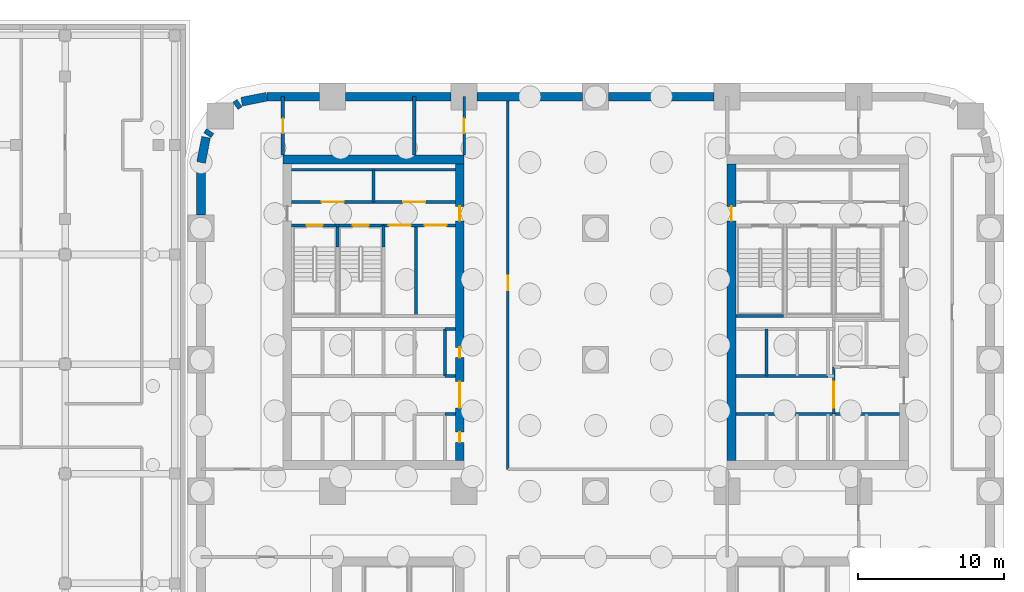
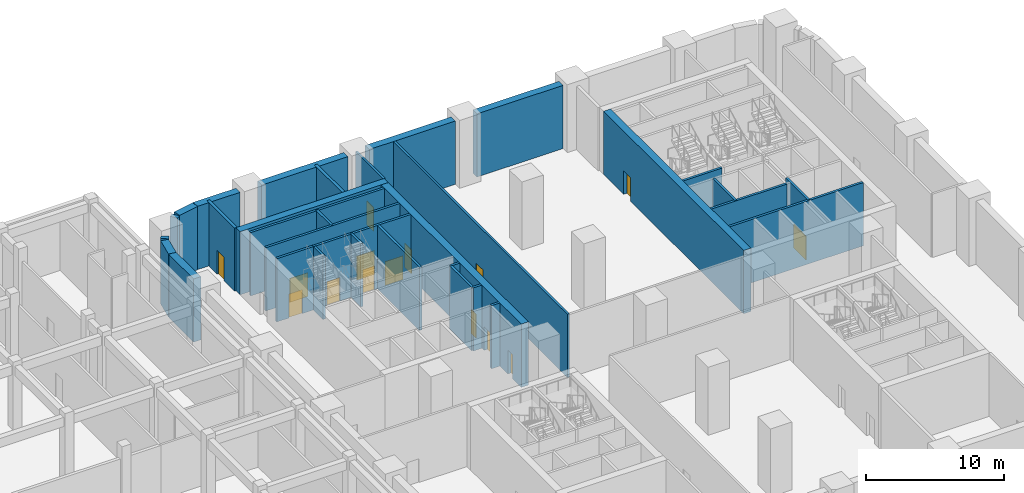
# One storey, part 12 of 26: 35 walls, 15 doors, 15 openings.
"""IFC4 building model written with IfcOpenShell, lengths in metres."""

from ifc_helpers import new_model, si_unit, direction, frame, frame_2d, origin, place, context, subcontext, project, spatial, rectangle, extrude, material, layer, layer_set, type_object, element, fill, save


model = new_model("IFC4")

# Units and contexts
model_context = context("Model", 3, precision=1e-05, world=origin(), true_north=direction((0.0, 1.0)))
body_context = subcontext(model_context, "Body", "Model", "MODEL_VIEW")
ifc_project = project(units=[si_unit("LENGTHUNIT", "METRE"), si_unit("AREAUNIT", "SQUARE_METRE"), si_unit("VOLUMEUNIT", "CUBIC_METRE"), si_unit("PLANEANGLEUNIT", "RADIAN"), si_unit("MASSUNIT", "GRAM", prefix="KILO")], contexts=[model_context])

# Site, building, storey
site_placement = place(None, origin())
site = spatial("IfcSite", under=ifc_project, at=site_placement, CompositionType="ELEMENT")
building_placement = place(site_placement, origin())
building = spatial("IfcBuilding", under=site, at=building_placement, Name="Tessera Arch", CompositionType="ELEMENT")
storey_placement = place(building_placement, frame((0.0, 0.0, -6.0)))
storey = spatial("IfcBuildingStorey", under=building, at=storey_placement, Name="B1", CompositionType="ELEMENT", Elevation=-6.0)

# Walls
ifc_material_1 = material(Name="Concrete C50/60", Category="concrete")
ifc_layer_1 = layer(ifc_material_1, 0.60009765625)
ifc_layer_set_1 = layer_set([ifc_layer_1], Name="Basement wall 600 Concrete C50/60")
wall_type_1 = type_object("IfcWallType", Name="Basement wall 600 Concrete C50/60", PredefinedType="SOLIDWALL", material=ifc_layer_set_1)
for number, where, z_axis, x_axis, name in (
    (1, (35.10009765625, 54.0, 0.0), (0.0, 0.0, 1.0), (-1.0, 0.0, 0.0), "Basement wall B1 13"),
    (2, (26.10009765625, 54.0, 0.0), (0.0, 0.0, 1.0), (-1.0, 0.0, 0.0), "Basement wall B1 14"),
    (3, (17.10009765625, 54.0, 0.0), (0.0, 0.0, 1.0), (-1.0, 0.0, 0.0), "Basement wall B1 15"),
):
    element("IfcWall", number, at=place(storey_placement, frame(where, z_axis=z_axis, x_axis=x_axis)), inside=storey, type_object=wall_type_1, Name=name, PredefinedType="SOLIDWALL", context=body_context, shape_type="SweptSolid", body=[
        extrude(rectangle(XDim=7.2001953125, YDim=0.60009765625, at=frame_2d((3.60009765625, 0.0))), origin(), (0.0, 0.0, 1.0), 5.590087890625),
    ])
wall_1_placement = place(storey_placement, frame((8.10009765625, 54.0, 0.0), z_axis=(0.0, 0.0, 1.0), x_axis=(-1.0, 0.0, 0.0)))
element("IfcWall", 4, at=wall_1_placement, inside=storey, type_object=wall_type_1, Name="Basement wall B1 16", PredefinedType="SOLIDWALL", context=body_context, shape_type="SweptSolid", body=[
    extrude(rectangle(XDim=3.60009765625, YDim=0.60009765625, at=frame_2d((1.800048828125, 0.0))), origin(), (0.0, 0.0, 1.0), 5.590087890625),
])
wall_2_placement = place(storey_placement, frame((4.5, 54.0, 0.0), z_axis=(0.0, 0.0, 1.0), x_axis=(-0.980788681317, -0.195073223687, 0.0)))
element("IfcWall", 5, at=wall_2_placement, inside=storey, type_object=wall_type_1, Name="Basement wall B1 17", PredefinedType="SOLIDWALL", context=body_context, shape_type="SweptSolid", body=[
    extrude(rectangle(XDim=1.755859375, YDim=0.60009765625, at=frame_2d((0.8779296875, 0.0))), origin(), (0.0, 0.0, 1.0), 5.590087890625),
])
for number, where, z_axis, x_axis, name in (
    (6, (2.639892578125, 53.565185546875, 0.0), (0.0, 0.0, 1.0), (-0.831499915197, -0.555524878855, 0.0), "Basement wall B1 18"),
    (7, (0.62451171875, 51.64404296875, 0.0), (0.0, 0.0, 1.0), (-0.555524878855, -0.831499915197, 0.0), "Basement wall B1 19"),
):
    element("IfcWall", number, at=place(storey_placement, frame(where, z_axis=z_axis, x_axis=x_axis)), inside=storey, type_object=wall_type_1, Name=name, PredefinedType="SOLIDWALL", context=body_context, shape_type="SweptSolid", body=[
        extrude(rectangle(XDim=0.341552734375, YDim=0.60009765625, at=frame_2d((0.1708984375, 0.0))), origin(), (0.0, 0.0, 1.0), 5.590087890625),
    ])
wall_3_placement = place(storey_placement, frame((0.342529296875, 51.22216796875, 0.0), z_axis=(0.0, 0.0, 1.0), x_axis=(-0.195073223687, -0.980788681317, 0.0)))
element("IfcWall", 8, at=wall_3_placement, inside=storey, type_object=wall_type_1, Name="Basement wall B1 20", PredefinedType="SOLIDWALL", context=body_context, shape_type="SweptSolid", body=[
    extrude(rectangle(XDim=1.755859375, YDim=0.60009765625, at=frame_2d((0.8779296875, 0.0))), origin(), (0.0, 0.0, 1.0), 5.590087890625),
])
wall_4_placement = place(storey_placement, frame((0.0, 49.5, 0.0), z_axis=(0.0, 0.0, 1.0), x_axis=(0.0, -1.0, 0.0)))
element("IfcWall", 9, at=wall_4_placement, inside=storey, type_object=wall_type_1, Name="Basement wall B1 21", PredefinedType="SOLIDWALL", context=body_context, shape_type="SweptSolid", body=[
    extrude(rectangle(XDim=3.60009765625, YDim=0.60009765625, at=frame_2d((1.800048828125, 0.0))), origin(), (0.0, 0.0, 1.0), 5.590087890625),
])
ifc_material_2 = material(Name="Gypsum board on steel stud", Category="steel")
ifc_layer_2 = layer(ifc_material_2, 0.125)
ifc_layer_set_2 = layer_set([ifc_layer_2], Name="Core partition 125 EI 60")
wall_type_2 = type_object("IfcWallType", Name="Core partition 125 EI 60", PredefinedType="PARTITIONING", material=ifc_layer_set_2)
wall_5_placement = place(storey_placement, frame((11.800048828125, 46.800048828125, 0.0), z_axis=(0.0, 0.0, 1.0), x_axis=(0.0, 1.0, 0.0)))
element("IfcWall", 10, at=wall_5_placement, inside=storey, type_object=wall_type_2, Name="B1 C2 partition wall 8", PredefinedType="PARTITIONING", context=body_context, shape_type="SweptSolid", body=[
    extrude(rectangle(XDim=2.199951171875, YDim=0.199951171875, at=frame_2d((1.10009765625, 0.0))), origin(), (0.0, 0.0, 1.0), 5.590087890625),
])
wall_6_placement = place(storey_placement, frame((14.705078125, 39.0, 0.0), z_axis=(0.0, 0.0, 1.0), x_axis=(0.0, 1.0, 0.0)))
element("IfcWall", 11, at=wall_6_placement, inside=storey, type_object=wall_type_2, Name="B1 C2 partition wall 16", PredefinedType="PARTITIONING", context=body_context, shape_type="SweptSolid", body=[
    extrude(rectangle(XDim=6.199951171875, YDim=0.199951171875, at=frame_2d((3.10009765625, 0.0))), origin(), (0.0, 0.0, 1.0), 5.590087890625),
])

# Wall, openings, doors
wall_7_placement = place(storey_placement, frame((12.5, 45.199951171875, 0.0), z_axis=(0.0, 0.0, 1.0), x_axis=(1.0, 0.0, 0.0)))
wall_7 = element("IfcWall", 12, at=wall_7_placement, inside=storey, type_object=wall_type_2, Name="B1 C2 partition wall 29", PredefinedType="PARTITIONING", context=body_context, shape_type="SweptSolid", body=[
    extrude(rectangle(XDim=4.89990234375, YDim=0.199951171875, at=frame_2d((2.449951171875, 0.0))), origin(), (0.0, 0.0, 1.0), 5.590087890625),
])
opening_1_placement = place(wall_7_placement, frame((0.3525390625, 0.0, 0.0)))
opening_1 = element("IfcOpeningElement", 13, at=opening_1_placement, cuts=wall_7, Name="Opening B1-C23", PredefinedType="OPENING", context=body_context, shape_type="SweptSolid", body=[
    extrude(rectangle(XDim=1.5, YDim=2.10009765625, at=frame_2d((0.75, 1.050048828125))), frame((0.0, 0.10986328125, 0.0), z_axis=(0.0, -1.0, 0.0), x_axis=(1.0, 0.0, 0.0)), (0.0, 0.0, 1.0), 0.219970703125),
])
opening_2_placement = place(wall_7_placement, frame((2.802490234375, 0.0, 0.0)))
opening_2 = element("IfcOpeningElement", 14, at=opening_2_placement, cuts=wall_7, Name="Opening B1-C24", PredefinedType="OPENING", context=body_context, shape_type="SweptSolid", body=[
    extrude(rectangle(XDim=1.5, YDim=2.10009765625, at=frame_2d((0.75, 1.050048828125))), frame((0.0, 0.10986328125, 0.0), z_axis=(0.0, -1.0, 0.0), x_axis=(1.0, 0.0, 0.0)), (0.0, 0.0, 1.0), 0.219970703125),
])
ifc_material_3 = material(Name="Steel door leaf", Category="steel")
door_type_1 = type_object("IfcDoorType", Name="Plant door FD60 1500 x 2100", OperationType="DOUBLE_DOOR_SINGLE_SWING", PredefinedType="DOOR", material=ifc_material_3)
door_1_placement = place(opening_1_placement, origin())
door_1 = element("IfcDoor", 15, at=door_1_placement, inside=storey, type_object=door_type_1, Name="B1 C2 door 10 C23 type D08", OperationType="DOUBLE_DOOR_SINGLE_SWING", OverallHeight=2.10009765625, OverallWidth=1.5, PredefinedType="DOOR", context=body_context, shape_type="SweptSolid", body=[
    extrude(rectangle(XDim=1.5, YDim=2.10009765625, at=frame_2d((0.75, 1.050048828125))), frame((0.0, 0.02490234375, 0.0), z_axis=(0.0, -1.0, 0.0), x_axis=(1.0, 0.0, 0.0)), (0.0, 0.0, 1.0), 0.050048828125),
])
fill(opening_1, door_1)
door_2_placement = place(opening_2_placement, origin())
door_2 = element("IfcDoor", 16, at=door_2_placement, inside=storey, type_object=door_type_1, Name="B1 C2 door 11 C24 type D08", OperationType="DOUBLE_DOOR_SINGLE_SWING", OverallHeight=2.10009765625, OverallWidth=1.5, PredefinedType="DOOR", context=body_context, shape_type="SweptSolid", body=[
    extrude(rectangle(XDim=1.5, YDim=2.10009765625, at=frame_2d((0.75, 1.050048828125))), frame((0.0, 0.02490234375, 0.0), z_axis=(0.0, -1.0, 0.0), x_axis=(1.0, 0.0, 0.0)), (0.0, 0.0, 1.0), 0.050048828125),
])
fill(opening_2, door_2)

wall_8_placement = place(storey_placement, frame((6.199951171875, 46.800048828125, 0.0), z_axis=(0.0, 0.0, 1.0), x_axis=(1.0, 0.0, 0.0)))
wall_8 = element("IfcWall", 17, at=wall_8_placement, inside=storey, type_object=wall_type_2, Name="B1 C2 partition wall 33", PredefinedType="PARTITIONING", context=body_context, shape_type="SweptSolid", body=[
    extrude(rectangle(XDim=11.199951171875, YDim=0.199951171875, at=frame_2d((5.60009765625, 0.0))), origin(), (0.0, 0.0, 1.0), 5.590087890625),
])
opening_3_placement = place(wall_8_placement, frame((2.050048828125, 0.0, 0.0)))
opening_3 = element("IfcOpeningElement", 18, at=opening_3_placement, cuts=wall_8, Name="Opening B1-C21", PredefinedType="OPENING", context=body_context, shape_type="SweptSolid", body=[
    extrude(rectangle(XDim=1.5, YDim=2.10009765625, at=frame_2d((0.75, 1.050048828125))), frame((0.0, 0.10986328125, 0.0), z_axis=(0.0, -1.0, 0.0), x_axis=(1.0, 0.0, 0.0)), (0.0, 0.0, 1.0), 0.219970703125),
])
opening_4_placement = place(wall_8_placement, frame((7.64990234375, 0.0, 0.0)))
opening_4 = element("IfcOpeningElement", 19, at=opening_4_placement, cuts=wall_8, Name="Opening B1-C22", PredefinedType="OPENING", context=body_context, shape_type="SweptSolid", body=[
    extrude(rectangle(XDim=1.5, YDim=2.10009765625, at=frame_2d((0.75, 1.050048828125))), frame((0.0, 0.10986328125, 0.0), z_axis=(0.0, -1.0, 0.0), x_axis=(1.0, 0.0, 0.0)), (0.0, 0.0, 1.0), 0.219970703125),
])
door_3_placement = place(opening_3_placement, origin())
door_3 = element("IfcDoor", 20, at=door_3_placement, inside=storey, type_object=door_type_1, Name="B1 C2 door 8 C21 type D08", OperationType="DOUBLE_DOOR_SINGLE_SWING", OverallHeight=2.10009765625, OverallWidth=1.5, PredefinedType="DOOR", context=body_context, shape_type="SweptSolid", body=[
    extrude(rectangle(XDim=1.5, YDim=2.10009765625, at=frame_2d((0.75, 1.050048828125))), frame((0.0, 0.02490234375, 0.0), z_axis=(0.0, -1.0, 0.0), x_axis=(1.0, 0.0, 0.0)), (0.0, 0.0, 1.0), 0.050048828125),
])
fill(opening_3, door_3)
door_4_placement = place(opening_4_placement, origin())
door_4 = element("IfcDoor", 21, at=door_4_placement, inside=storey, type_object=door_type_1, Name="B1 C2 door 9 C22 type D08", OperationType="DOUBLE_DOOR_SINGLE_SWING", OverallHeight=2.10009765625, OverallWidth=1.5, PredefinedType="DOOR", context=body_context, shape_type="SweptSolid", body=[
    extrude(rectangle(XDim=1.5, YDim=2.10009765625, at=frame_2d((0.75, 1.050048828125))), frame((0.0, 0.02490234375, 0.0), z_axis=(0.0, -1.0, 0.0), x_axis=(1.0, 0.0, 0.0)), (0.0, 0.0, 1.0), 0.050048828125),
])
fill(opening_4, door_4)

# Wall
wall_9_placement = place(storey_placement, frame((6.199951171875, 49.0, 0.0), z_axis=(0.0, 0.0, 1.0), x_axis=(1.0, 0.0, 0.0)))
element("IfcWall", 22, at=wall_9_placement, inside=storey, type_object=wall_type_2, Name="B1 C2 partition wall 34", PredefinedType="PARTITIONING", context=body_context, shape_type="SweptSolid", body=[
    extrude(rectangle(XDim=11.199951171875, YDim=0.199951171875, at=frame_2d((5.60009765625, 0.0))), origin(), (0.0, 0.0, 1.0), 5.590087890625),
])

# Wall, opening, door
ifc_material_4 = material(Name="Concrete C70/85", Category="concrete")
ifc_layer_3 = layer(ifc_material_4, 0.60009765625)
ifc_layer_set_3 = layer_set([ifc_layer_3], Name="Core shell wall 600 C70-85")
wall_type_3 = type_object("IfcWallType", Name="Core shell wall 600 C70-85", PredefinedType="SHEAR", material=ifc_layer_set_3)
wall_10_placement = place(storey_placement, frame((36.300048828125, 29.10009765625, 0.0), z_axis=(0.0, 0.0, 1.0), x_axis=(0.0, 1.0, 0.0)))
wall_10 = element("IfcWall", 23, at=wall_10_placement, inside=storey, type_object=wall_type_3, Name="B1 C1 core wall W", PredefinedType="SHEAR", context=body_context, shape_type="SweptSolid", body=[
    extrude(rectangle(XDim=20.2998046875, YDim=0.60009765625, at=frame_2d((10.14990234375, 0.0))), origin(), (0.0, 0.0, 1.0), 5.590087890625),
])
opening_5_placement = place(wall_10_placement, frame((16.39990234375, 0.0, 0.0)))
opening_5 = element("IfcOpeningElement", 24, at=opening_5_placement, cuts=wall_10, Name="Opening B1-C10", PredefinedType="OPENING", context=body_context, shape_type="SweptSolid", body=[
    extrude(rectangle(XDim=1.0, YDim=2.10009765625, at=frame_2d((0.5, 1.050048828125))), frame((0.0, 0.31005859375, 0.0), z_axis=(0.0, -1.0, 0.0), x_axis=(1.0, 0.0, 0.0)), (0.0, 0.0, 1.0), 0.6201171875),
])
ifc_material_5 = material(Name="Steel door leaf", Category="steel")
door_type_2 = type_object("IfcDoorType", Name="Corridor door FD60 1000 x 2100", OperationType="SINGLE_SWING_LEFT", PredefinedType="DOOR", material=ifc_material_5)
door_5_placement = place(opening_5_placement, origin())
door_5 = element("IfcDoor", 25, at=door_5_placement, inside=storey, type_object=door_type_2, Name="B1 C1 door 10 C10 type D12", OperationType="SINGLE_SWING_RIGHT", OverallHeight=2.10009765625, OverallWidth=1.0, PredefinedType="DOOR", context=body_context, shape_type="SweptSolid", body=[
    extrude(rectangle(XDim=1.0, YDim=2.10009765625, at=frame_2d((0.5, 1.050048828125))), frame((0.0, 0.02490234375, 0.0), z_axis=(0.0, -1.0, 0.0), x_axis=(1.0, 0.0, 0.0)), (0.0, 0.0, 1.0), 0.050048828125),
])
fill(opening_5, door_5)

# Wall
wall_11_placement = place(storey_placement, frame((5.60009765625, 49.699951171875, 0.0), z_axis=(0.0, 0.0, 1.0), x_axis=(1.0, 0.0, 0.0)))
element("IfcWall", 26, at=wall_11_placement, inside=storey, type_object=wall_type_3, Name="B1 C2 core wall N", PredefinedType="SHEAR", context=body_context, shape_type="SweptSolid", body=[
    extrude(rectangle(XDim=12.39990234375, YDim=0.60009765625, at=frame_2d((6.199951171875, 0.0))), origin(), (0.0, 0.0, 1.0), 5.590087890625),
])

# Wall, openings, doors
wall_12_placement = place(storey_placement, frame((17.699951171875, 29.10009765625, 0.0), z_axis=(0.0, 0.0, 1.0), x_axis=(0.0, 1.0, 0.0)))
wall_12 = element("IfcWall", 27, at=wall_12_placement, inside=storey, type_object=wall_type_3, Name="B1 C2 core wall E", PredefinedType="SHEAR", context=body_context, shape_type="SweptSolid", body=[
    extrude(rectangle(XDim=20.2998046875, YDim=0.60009765625, at=frame_2d((10.14990234375, 0.0))), origin(), (0.0, 0.0, 1.0), 5.590087890625),
])
opening_6_placement = place(wall_12_placement, frame((1.25, 0.0, 0.0)))
opening_6 = element("IfcOpeningElement", 28, at=opening_6_placement, cuts=wall_12, Name="Opening B1-C14", PredefinedType="OPENING", context=body_context, shape_type="SweptSolid", body=[
    extrude(rectangle(XDim=0.699951171875, YDim=2.10009765625, at=frame_2d((0.35009765625, 1.050048828125))), frame((0.0, 0.31005859375, 0.0), z_axis=(0.0, -1.0, 0.0), x_axis=(1.0, 0.0, 0.0)), (0.0, 0.0, 1.0), 0.6201171875),
])
opening_7_placement = place(wall_12_placement, frame((7.050048828125, 0.0, 0.0)))
opening_7 = element("IfcOpeningElement", 29, at=opening_7_placement, cuts=wall_12, Name="Opening B1-C15", PredefinedType="OPENING", context=body_context, shape_type="SweptSolid", body=[
    extrude(rectangle(XDim=0.699951171875, YDim=2.10009765625, at=frame_2d((0.35009765625, 1.050048828125))), frame((0.0, 0.31005859375, 0.0), z_axis=(0.0, -1.0, 0.0), x_axis=(1.0, 0.0, 0.0)), (0.0, 0.0, 1.0), 0.6201171875),
])
opening_8_placement = place(wall_12_placement, frame((3.60009765625, 0.0, 0.0)))
opening_8 = element("IfcOpeningElement", 30, at=opening_8_placement, cuts=wall_12, Name="Opening B1-C16", PredefinedType="OPENING", context=body_context, shape_type="SweptSolid", body=[
    extrude(rectangle(XDim=1.800048828125, YDim=2.10009765625, at=frame_2d((0.89990234375, 1.050048828125))), frame((0.0, 0.31005859375, 0.0), z_axis=(0.0, -1.0, 0.0), x_axis=(1.0, 0.0, 0.0)), (0.0, 0.0, 1.0), 0.6201171875),
])
opening_9_placement = place(wall_12_placement, frame((16.39990234375, 0.0, 0.0)))
opening_9 = element("IfcOpeningElement", 31, at=opening_9_placement, cuts=wall_12, Name="Opening B1-C19", PredefinedType="OPENING", context=body_context, shape_type="SweptSolid", body=[
    extrude(rectangle(XDim=1.0, YDim=2.10009765625, at=frame_2d((0.5, 1.050048828125))), frame((0.0, 0.31005859375, 0.0), z_axis=(0.0, -1.0, 0.0), x_axis=(1.0, 0.0, 0.0)), (0.0, 0.0, 1.0), 0.6201171875),
])
door_6_placement = place(opening_9_placement, origin())
door_6 = element("IfcDoor", 32, at=door_6_placement, inside=storey, type_object=door_type_2, Name="B1 C2 door 6 C19 type D12", OperationType="SINGLE_SWING_RIGHT", OverallHeight=2.10009765625, OverallWidth=1.0, PredefinedType="DOOR", context=body_context, shape_type="SweptSolid", body=[
    extrude(rectangle(XDim=1.0, YDim=2.10009765625, at=frame_2d((0.5, 1.050048828125))), frame((0.0, 0.02490234375, 0.0), z_axis=(0.0, -1.0, 0.0), x_axis=(1.0, 0.0, 0.0)), (0.0, 0.0, 1.0), 0.050048828125),
])
fill(opening_9, door_6)
ifc_material_6 = material(Name="Glazed steel door leaf", Category="steel")
door_type_3 = type_object("IfcDoorType", Name="Lobby double door FD60 1800 x 2100", OperationType="DOUBLE_DOOR_SINGLE_SWING", PredefinedType="DOOR", material=ifc_material_6)
door_7_placement = place(opening_8_placement, origin())
door_7 = element("IfcDoor", 33, at=door_7_placement, inside=storey, type_object=door_type_3, Name="B1 C2 door 3 C16 type D19", OperationType="DOUBLE_DOOR_SINGLE_SWING", OverallHeight=2.10009765625, OverallWidth=1.800048828125, PredefinedType="DOOR", context=body_context, shape_type="SweptSolid", body=[
    extrude(rectangle(XDim=1.800048828125, YDim=2.10009765625, at=frame_2d((0.89990234375, 1.050048828125))), frame((0.0, 0.02490234375, 0.0), z_axis=(0.0, -1.0, 0.0), x_axis=(1.0, 0.0, 0.0)), (0.0, 0.0, 1.0), 0.050048828125),
])
fill(opening_8, door_7)
ifc_material_7 = material(Name="Steel door leaf", Category="steel")
door_type_4 = type_object("IfcDoorType", Name="Service shaft door FD60 700 x 2100", OperationType="SINGLE_SWING_LEFT", PredefinedType="DOOR", material=ifc_material_7)
door_8_placement = place(opening_6_placement, origin())
door_8 = element("IfcDoor", 34, at=door_8_placement, inside=storey, type_object=door_type_4, Name="B1 C2 door 1 C14 type D07", OperationType="SINGLE_SWING_LEFT", OverallHeight=2.10009765625, OverallWidth=0.699951171875, PredefinedType="DOOR", context=body_context, shape_type="SweptSolid", body=[
    extrude(rectangle(XDim=0.699951171875, YDim=2.10009765625, at=frame_2d((0.35009765625, 1.050048828125))), frame((0.0, 0.02490234375, 0.0), z_axis=(0.0, -1.0, 0.0), x_axis=(1.0, 0.0, 0.0)), (0.0, 0.0, 1.0), 0.050048828125),
])
fill(opening_6, door_8)
door_9_placement = place(opening_7_placement, origin())
door_9 = element("IfcDoor", 35, at=door_9_placement, inside=storey, type_object=door_type_4, Name="B1 C2 door 2 C15 type D07", OperationType="SINGLE_SWING_LEFT", OverallHeight=2.10009765625, OverallWidth=0.699951171875, PredefinedType="DOOR", context=body_context, shape_type="SweptSolid", body=[
    extrude(rectangle(XDim=0.699951171875, YDim=2.10009765625, at=frame_2d((0.35009765625, 1.050048828125))), frame((0.0, 0.02490234375, 0.0), z_axis=(0.0, -1.0, 0.0), x_axis=(1.0, 0.0, 0.0)), (0.0, 0.0, 1.0), 0.050048828125),
])
fill(opening_7, door_9)

# Wall, opening, door
ifc_material_8 = material(Name="Gypsum board on deep steel stud with mineral wool", Category="steel")
ifc_layer_4 = layer(ifc_material_8, 0.175048828125)
ifc_layer_set_4 = layer_set([ifc_layer_4], Name="Corridor wall 175 EI 60")
wall_type_4 = type_object("IfcWallType", Name="Corridor wall 175 EI 60", PredefinedType="PARTITIONING", material=ifc_layer_set_4)
wall_13_placement = place(storey_placement, frame((18.0, 50.0, 0.0), z_axis=(0.0, 0.0, 1.0), x_axis=(0.0, 1.0, 0.0)))
wall_13 = element("IfcWall", 36, at=wall_13_placement, inside=storey, type_object=wall_type_4, Name="B1 partition 19", PredefinedType="PARTITIONING", context=body_context, shape_type="SweptSolid", body=[
    extrude(rectangle(XDim=4.0, YDim=0.175048828125, at=frame_2d((2.0, 0.0))), origin(), (0.0, 0.0, 1.0), 5.590087890625),
])
opening_10_placement = place(wall_13_placement, frame((1.5, 0.0, 0.0)))
opening_10 = element("IfcOpeningElement", 37, at=opening_10_placement, cuts=wall_13, Name="Opening B1-D012", PredefinedType="OPENING", context=body_context, shape_type="SweptSolid", body=[
    extrude(rectangle(XDim=1.0, YDim=2.10009765625, at=frame_2d((0.5, 1.050048828125))), frame((0.0, 0.097412109375, 0.0), z_axis=(0.0, -1.0, 0.0), x_axis=(1.0, 0.0, 0.0)), (0.0, 0.0, 1.0), 0.195068359375),
])
ifc_material_9 = material(Name="Fire-rated door leaf")
door_type_5 = type_object("IfcDoorType", Name="Entrance door FD30S 1000 x 2100", OperationType="SINGLE_SWING_LEFT", PredefinedType="DOOR", material=ifc_material_9)
door_10_placement = place(opening_10_placement, origin())
door_10 = element("IfcDoor", 38, at=door_10_placement, inside=storey, type_object=door_type_5, Name="B1 door D012 type D03", OperationType="SINGLE_SWING_RIGHT", OverallHeight=2.10009765625, OverallWidth=1.0, PredefinedType="DOOR", context=body_context, shape_type="SweptSolid", body=[
    extrude(rectangle(XDim=1.0, YDim=2.10009765625, at=frame_2d((0.5, 1.050048828125))), frame((0.0, 0.02490234375, 0.0), z_axis=(0.0, -1.0, 0.0), x_axis=(1.0, 0.0, 0.0)), (0.0, 0.0, 1.0), 0.050048828125),
])
fill(opening_10, door_10)

wall_14_placement = place(storey_placement, frame((21.0, 28.5, 0.0), z_axis=(0.0, 0.0, 1.0), x_axis=(0.0, 1.0, 0.0)))
wall_14 = element("IfcWall", 39, at=wall_14_placement, inside=storey, type_object=wall_type_4, Name="B1 partition 21", PredefinedType="PARTITIONING", context=body_context, shape_type="SweptSolid", body=[
    extrude(rectangle(XDim=25.5, YDim=0.175048828125, at=frame_2d((12.75, 0.0))), origin(), (0.0, 0.0, 1.0), 5.590087890625),
])
opening_11_placement = place(wall_14_placement, frame((12.25, 0.0, 0.0)))
opening_11 = element("IfcOpeningElement", 40, at=opening_11_placement, cuts=wall_14, Name="Opening B1-D014", PredefinedType="OPENING", context=body_context, shape_type="SweptSolid", body=[
    extrude(rectangle(XDim=1.0, YDim=2.10009765625, at=frame_2d((0.5, 1.050048828125))), frame((0.0, 0.097412109375, 0.0), z_axis=(0.0, -1.0, 0.0), x_axis=(1.0, 0.0, 0.0)), (0.0, 0.0, 1.0), 0.195068359375),
])
ifc_material_10 = material(Name="Fire-rated door leaf")
door_type_6 = type_object("IfcDoorType", Name="Entrance door FD60 1000 x 2100", OperationType="SINGLE_SWING_LEFT", PredefinedType="DOOR", material=ifc_material_10)
door_11_placement = place(opening_11_placement, origin())
door_11 = element("IfcDoor", 41, at=door_11_placement, inside=storey, type_object=door_type_6, Name="B1 door D014 type D16", OperationType="SINGLE_SWING_LEFT", OverallHeight=2.10009765625, OverallWidth=1.0, PredefinedType="DOOR", context=body_context, shape_type="SweptSolid", body=[
    extrude(rectangle(XDim=1.0, YDim=2.10009765625, at=frame_2d((0.5, 1.050048828125))), frame((0.0, 0.02490234375, 0.0), z_axis=(0.0, -1.0, 0.0), x_axis=(1.0, 0.0, 0.0)), (0.0, 0.0, 1.0), 0.050048828125),
])
fill(opening_11, door_11)

# Walls
ifc_material_11 = material(Name="Concrete C40/50", Category="concrete")
ifc_layer_5 = layer(ifc_material_11, 0.199951171875)
ifc_layer_set_5 = layer_set([ifc_layer_5], Name="Lift shaft wall 200 REI 180")
wall_type_5 = type_object("IfcWallType", Name="Lift shaft wall 200 REI 180", PredefinedType="SOLIDWALL", material=ifc_layer_set_5)
wall_15_placement = place(storey_placement, frame((38.699951171875, 34.89990234375, 0.0), z_axis=(0.0, 0.0, 1.0), x_axis=(0.0, 1.0, 0.0)))
element("IfcWall", 42, at=wall_15_placement, inside=storey, type_object=wall_type_5, Name="B1 C1 shaft wall 2", PredefinedType="SOLIDWALL", context=body_context, shape_type="SweptSolid", body=[
    extrude(rectangle(XDim=3.2001953125, YDim=0.199951171875, at=frame_2d((1.60009765625, 0.0))), origin(), (0.0, 0.0, 1.0), 5.590087890625),
])
wall_16_placement = place(storey_placement, frame((36.60009765625, 32.300048828125, 0.0), z_axis=(0.0, 0.0, 1.0), x_axis=(1.0, 0.0, 0.0)))
element("IfcWall", 43, at=wall_16_placement, inside=storey, type_object=wall_type_5, Name="B1 C1 shaft wall 25", PredefinedType="SOLIDWALL", context=body_context, shape_type="SweptSolid", body=[
    extrude(rectangle(XDim=11.199951171875, YDim=0.199951171875, at=frame_2d((5.60009765625, 0.0))), origin(), (0.0, 0.0, 1.0), 5.590087890625),
])
wall_17_placement = place(storey_placement, frame((36.60009765625, 34.89990234375, 0.0), z_axis=(0.0, 0.0, 1.0), x_axis=(1.0, 0.0, 0.0)))
element("IfcWall", 44, at=wall_17_placement, inside=storey, type_object=wall_type_5, Name="B1 C1 shaft wall 27", PredefinedType="SOLIDWALL", context=body_context, shape_type="SweptSolid", body=[
    extrude(rectangle(XDim=6.2998046875, YDim=0.199951171875, at=frame_2d((3.14990234375, 0.0))), origin(), (0.0, 0.0, 1.0), 5.590087890625),
])
wall_18_placement = place(storey_placement, frame((16.699951171875, 34.89990234375, 0.0), z_axis=(0.0, 0.0, 1.0), x_axis=(0.0, 1.0, 0.0)))
element("IfcWall", 45, at=wall_18_placement, inside=storey, type_object=wall_type_5, Name="B1 C2 shaft wall 18", PredefinedType="SOLIDWALL", context=body_context, shape_type="SweptSolid", body=[
    extrude(rectangle(XDim=3.2001953125, YDim=0.199951171875, at=frame_2d((1.60009765625, 0.0))), origin(), (0.0, 0.0, 1.0), 5.590087890625),
])

# Wall, opening, door
ifc_material_12 = material(Name="Double gypsum board on twin steel stud with acoustic mineral wool", Category="steel")
ifc_layer_6 = layer(ifc_material_12, 0.25)
ifc_layer_set_6 = layer_set([ifc_layer_6], Name="Party wall 250 EI 60")
wall_type_6 = type_object("IfcWallType", Name="Party wall 250 EI 60", PredefinedType="PARTITIONING", material=ifc_layer_set_6)
wall_19_placement = place(storey_placement, frame((5.60009765625, 50.0, 0.0), z_axis=(0.0, 0.0, 1.0), x_axis=(0.0, 1.0, 0.0)))
wall_19 = element("IfcWall", 46, at=wall_19_placement, inside=storey, type_object=wall_type_6, Name="B1 partition 34", PredefinedType="PARTITIONING", context=body_context, shape_type="SweptSolid", body=[
    extrude(rectangle(XDim=4.0, YDim=0.25, at=frame_2d((2.0, 0.0))), origin(), (0.0, 0.0, 1.0), 5.590087890625),
])
opening_12_placement = place(wall_19_placement, frame((1.5, 0.0, 0.0)))
opening_12 = element("IfcOpeningElement", 47, at=opening_12_placement, cuts=wall_19, Name="Opening B1-D019", PredefinedType="OPENING", context=body_context, shape_type="SweptSolid", body=[
    extrude(rectangle(XDim=1.0, YDim=2.10009765625, at=frame_2d((0.5, 1.050048828125))), frame((0.0, 0.135009765625, 0.0), z_axis=(0.0, -1.0, 0.0), x_axis=(1.0, 0.0, 0.0)), (0.0, 0.0, 1.0), 0.27001953125),
])
door_12_placement = place(opening_12_placement, origin())
door_12 = element("IfcDoor", 48, at=door_12_placement, inside=storey, type_object=door_type_6, Name="B1 door D019 type D16", OperationType="SINGLE_SWING_LEFT", OverallHeight=2.10009765625, OverallWidth=1.0, PredefinedType="DOOR", context=body_context, shape_type="SweptSolid", body=[
    extrude(rectangle(XDim=1.0, YDim=2.10009765625, at=frame_2d((0.5, 1.050048828125))), frame((0.0, 0.02490234375, 0.0), z_axis=(0.0, -1.0, 0.0), x_axis=(1.0, 0.0, 0.0)), (0.0, 0.0, 1.0), 0.050048828125),
])
fill(opening_12, door_12)

# Wall
wall_20_placement = place(storey_placement, frame((14.60009765625, 50.0, 0.0), z_axis=(0.0, 0.0, 1.0), x_axis=(0.0, 1.0, 0.0)))
element("IfcWall", 49, at=wall_20_placement, inside=storey, type_object=wall_type_6, Name="B1 partition 35", PredefinedType="PARTITIONING", context=body_context, shape_type="SweptSolid", body=[
    extrude(rectangle(XDim=4.0, YDim=0.25, at=frame_2d((2.0, 0.0))), origin(), (0.0, 0.0, 1.0), 5.590087890625),
])

# Wall, opening, door
ifc_material_13 = material(Name="Concrete C40/50", Category="concrete")
ifc_layer_7 = layer(ifc_material_13, 0.199951171875)
ifc_layer_set_7 = layer_set([ifc_layer_7], Name="Shaft wall 200 EI 120")
wall_type_7 = type_object("IfcWallType", Name="Shaft wall 200 EI 120", PredefinedType="SOLIDWALL", material=ifc_layer_set_7)
wall_21_placement = place(storey_placement, frame((43.300048828125, 32.300048828125, 0.0), z_axis=(0.0, 0.0, 1.0), x_axis=(0.0, 1.0, 0.0)))
wall_21 = element("IfcWall", 50, at=wall_21_placement, inside=storey, type_object=wall_type_7, Name="B1 C1 shaft wall 13", PredefinedType="SOLIDWALL", context=body_context, shape_type="SweptSolid", body=[
    extrude(rectangle(XDim=3.199951171875, YDim=0.199951171875, at=frame_2d((1.60009765625, 0.0))), origin(), (0.0, 0.0, 1.0), 5.590087890625),
])
opening_13_placement = place(wall_21_placement, frame((0.39990234375, 0.0, 0.0)))
opening_13 = element("IfcOpeningElement", 51, at=opening_13_placement, cuts=wall_21, Name="Opening B1-C02", PredefinedType="OPENING", context=body_context, shape_type="SweptSolid", body=[
    extrude(rectangle(XDim=1.800048828125, YDim=2.10009765625, at=frame_2d((0.89990234375, 1.050048828125))), frame((0.0, 0.10986328125, 0.0), z_axis=(0.0, -1.0, 0.0), x_axis=(1.0, 0.0, 0.0)), (0.0, 0.0, 1.0), 0.219970703125),
])
door_13_placement = place(opening_13_placement, origin())
door_13 = element("IfcDoor", 52, at=door_13_placement, inside=storey, type_object=door_type_3, Name="B1 C1 door 2 C02 type D19", OperationType="DOUBLE_DOOR_SINGLE_SWING", OverallHeight=2.10009765625, OverallWidth=1.800048828125, PredefinedType="DOOR", context=body_context, shape_type="SweptSolid", body=[
    extrude(rectangle(XDim=1.800048828125, YDim=2.10009765625, at=frame_2d((0.89990234375, 1.050048828125))), frame((0.0, 0.02490234375, 0.0), z_axis=(0.0, -1.0, 0.0), x_axis=(1.0, 0.0, 0.0)), (0.0, 0.0, 1.0), 0.050048828125),
])
fill(opening_13, door_13)

# Walls
for number, where, z_axis, x_axis, name in (
    (53, (16.699951171875, 32.300048828125, 0.0), (0.0, 0.0, 1.0), (1.0, 0.0, 0.0), "B1 C2 shaft wall 20"),
    (54, (16.699951171875, 34.89990234375, 0.0), (0.0, 0.0, 1.0), (1.0, 0.0, 0.0), "B1 C2 shaft wall 22"),
    (55, (16.699951171875, 38.10009765625, 0.0), (0.0, 0.0, 1.0), (1.0, 0.0, 0.0), "B1 C2 shaft wall 24"),
):
    element("IfcWall", number, at=place(storey_placement, frame(where, z_axis=z_axis, x_axis=x_axis)), inside=storey, type_object=wall_type_7, Name=name, PredefinedType="SOLIDWALL", context=body_context, shape_type="SweptSolid", body=[
        extrude(rectangle(XDim=0.699951171875, YDim=0.199951171875, at=frame_2d((0.35009765625, 0.0))), origin(), (0.0, 0.0, 1.0), 5.590087890625),
    ])
ifc_material_14 = material(Name="Concrete C40/50", Category="concrete")
ifc_layer_8 = layer(ifc_material_14, 0.199951171875)
ifc_layer_set_8 = layer_set([ifc_layer_8], Name="Stair well wall 200 REI 180")
wall_type_8 = type_object("IfcWallType", Name="Stair well wall 200 REI 180", PredefinedType="SOLIDWALL", material=ifc_layer_set_8)
wall_22_placement = place(storey_placement, frame((36.60009765625, 39.0, 0.0), z_axis=(0.0, 0.0, 1.0), x_axis=(1.0, 0.0, 0.0)))
element("IfcWall", 56, at=wall_22_placement, inside=storey, type_object=wall_type_8, Name="B1 C1 shaft wall 34", PredefinedType="SOLIDWALL", context=body_context, shape_type="SweptSolid", body=[
    extrude(rectangle(XDim=3.25, YDim=0.199951171875, at=frame_2d((1.625, 0.0))), origin(), (0.0, 0.0, 1.0), 5.590087890625),
])
for number, where, z_axis, x_axis, name in (
    (57, (9.35009765625, 43.699951171875, 0.0), (0.0, 0.0, 1.0), (0.0, 1.0, 0.0), "B1 C2 shaft wall 5"),
    (58, (12.5, 43.699951171875, 0.0), (0.0, 0.0, 1.0), (0.0, 1.0, 0.0), "B1 C2 shaft wall 13"),
):
    element("IfcWall", number, at=place(storey_placement, frame(where, z_axis=z_axis, x_axis=x_axis)), inside=storey, type_object=wall_type_8, Name=name, PredefinedType="SOLIDWALL", context=body_context, shape_type="SweptSolid", body=[
        extrude(rectangle(XDim=1.5, YDim=0.199951171875, at=frame_2d((0.75, 0.0))), origin(), (0.0, 0.0, 1.0), 5.590087890625),
    ])

# Wall, opening, door
wall_23_placement = place(storey_placement, frame((6.199951171875, 45.199951171875, 0.0), z_axis=(0.0, 0.0, 1.0), x_axis=(1.0, 0.0, 0.0)))
wall_23 = element("IfcWall", 59, at=wall_23_placement, inside=storey, type_object=wall_type_8, Name="B1 C2 shaft wall 30", PredefinedType="SOLIDWALL", context=body_context, shape_type="SweptSolid", body=[
    extrude(rectangle(XDim=3.050048828125, YDim=0.199951171875, at=frame_2d((1.52490234375, 0.0))), origin(), (0.0, 0.0, 1.0), 5.590087890625),
])
opening_14_placement = place(wall_23_placement, frame((1.02490234375, 0.0, 0.0)))
opening_14 = element("IfcOpeningElement", 60, at=opening_14_placement, cuts=wall_23, Name="Opening B1-C17", PredefinedType="OPENING", context=body_context, shape_type="SweptSolid", body=[
    extrude(rectangle(XDim=1.10009765625, YDim=2.10009765625, at=frame_2d((0.550048828125, 1.050048828125))), frame((0.0, 0.10986328125, 0.0), z_axis=(0.0, -1.0, 0.0), x_axis=(1.0, 0.0, 0.0)), (0.0, 0.0, 1.0), 0.219970703125),
])
ifc_material_15 = material(Name="Steel door leaf", Category="steel")
door_type_7 = type_object("IfcDoorType", Name="Stair door FD60 1100 x 2100", OperationType="SINGLE_SWING_LEFT", PredefinedType="DOOR", material=ifc_material_15)
door_14_placement = place(opening_14_placement, origin())
door_14 = element("IfcDoor", 61, at=door_14_placement, inside=storey, type_object=door_type_7, Name="B1 C2 door 4 C17 type D05", OperationType="SINGLE_SWING_RIGHT", OverallHeight=2.10009765625, OverallWidth=1.10009765625, PredefinedType="DOOR", context=body_context, shape_type="SweptSolid", body=[
    extrude(rectangle(XDim=1.10009765625, YDim=2.10009765625, at=frame_2d((0.550048828125, 1.050048828125))), frame((0.0, 0.02490234375, 0.0), z_axis=(0.0, -1.0, 0.0), x_axis=(1.0, 0.0, 0.0)), (0.0, 0.0, 1.0), 0.050048828125),
])
fill(opening_14, door_14)

# Wall
wall_24_placement = place(storey_placement, frame((9.25, 45.199951171875, 0.0), z_axis=(0.0, 0.0, 1.0), x_axis=(1.0, 0.0, 0.0)))
element("IfcWall", 62, at=wall_24_placement, inside=storey, type_object=wall_type_8, Name="B1 C2 shaft wall 31", PredefinedType="SOLIDWALL", context=body_context, shape_type="SweptSolid", body=[
    extrude(rectangle(XDim=0.199951171875, YDim=0.199951171875, at=frame_2d((0.10009765625, 0.0))), origin(), (0.0, 0.0, 1.0), 5.590087890625),
])

# Wall, opening, door
wall_25_placement = place(storey_placement, frame((9.449951171875, 45.199951171875, 0.0), z_axis=(0.0, 0.0, 1.0), x_axis=(1.0, 0.0, 0.0)))
wall_25 = element("IfcWall", 63, at=wall_25_placement, inside=storey, type_object=wall_type_8, Name="B1 C2 shaft wall 32", PredefinedType="SOLIDWALL", context=body_context, shape_type="SweptSolid", body=[
    extrude(rectangle(XDim=3.050048828125, YDim=0.199951171875, at=frame_2d((1.52490234375, 0.0))), origin(), (0.0, 0.0, 1.0), 5.590087890625),
])
opening_15_placement = place(wall_25_placement, frame((0.925048828125, 0.0, 0.0)))
opening_15 = element("IfcOpeningElement", 64, at=opening_15_placement, cuts=wall_25, Name="Opening B1-C18", PredefinedType="OPENING", context=body_context, shape_type="SweptSolid", body=[
    extrude(rectangle(XDim=1.10009765625, YDim=2.10009765625, at=frame_2d((0.550048828125, 1.050048828125))), frame((0.0, 0.10986328125, 0.0), z_axis=(0.0, -1.0, 0.0), x_axis=(1.0, 0.0, 0.0)), (0.0, 0.0, 1.0), 0.219970703125),
])
door_15_placement = place(opening_15_placement, origin())
door_15 = element("IfcDoor", 65, at=door_15_placement, inside=storey, type_object=door_type_7, Name="B1 C2 door 5 C18 type D05", OperationType="SINGLE_SWING_LEFT", OverallHeight=2.10009765625, OverallWidth=1.10009765625, PredefinedType="DOOR", context=body_context, shape_type="SweptSolid", body=[
    extrude(rectangle(XDim=1.10009765625, YDim=2.10009765625, at=frame_2d((0.550048828125, 1.050048828125))), frame((0.0, 0.02490234375, 0.0), z_axis=(0.0, -1.0, 0.0), x_axis=(1.0, 0.0, 0.0)), (0.0, 0.0, 1.0), 0.050048828125),
])
fill(opening_15, door_15)

save(model, "model.ifc")
